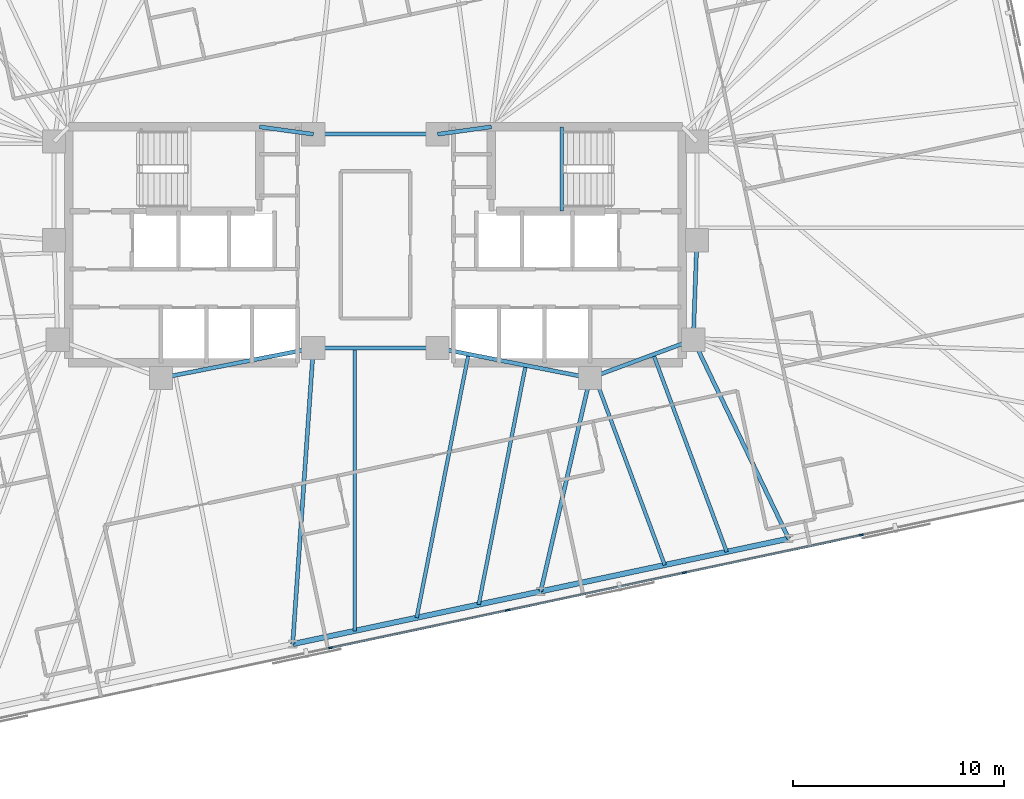
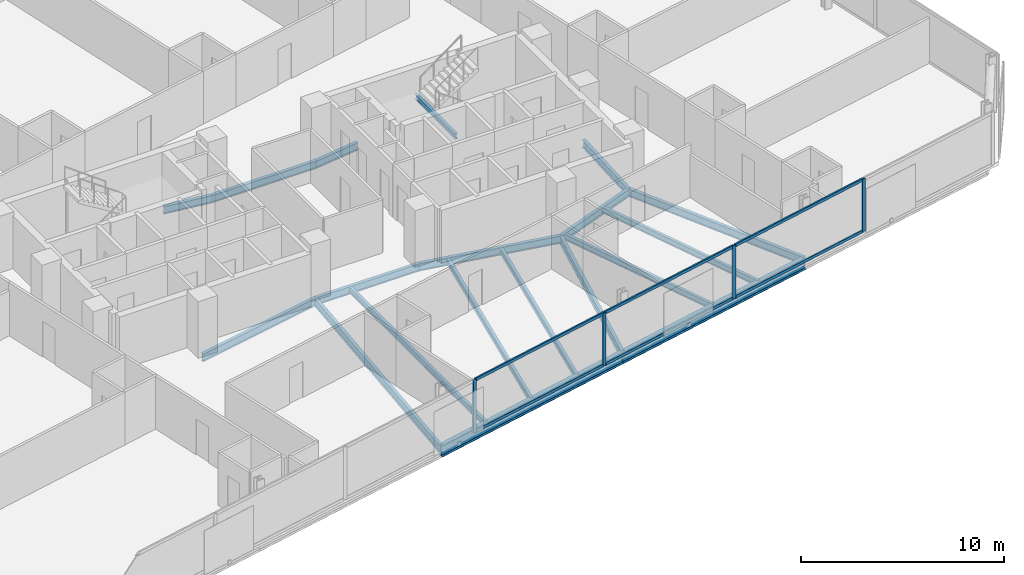
# One storey, part 8 of 20: 19 beams, 10 members, 1 element without a shape of its own.
"""IFC4 building model written with IfcOpenShell, lengths in metres."""

import ifcopenshell
import ifcopenshell.guid

model = None  # the IFC model being written
_history = None  # IfcOwnerHistory: only IFC2X3 demands one
_inside = {}  # id of a spatial element -> (the spatial element, [elements in it])
_under = {}  # id of a project, library or spatial element -> (it, [spatial elements below it])
_declared = {}  # id of a project -> (the project, [libraries it declares])
_typed = {}  # id of a type object -> (the type object, [elements of that type])
_made_of = {}  # id of a material, layer set ... -> (it, [elements and type objects made of it])


def new_model(schema):
    """Start an empty IFC model of exactly this schema.

    Asked for "IFC4X3", IfcOpenShell would pick the latest addendum, in which some entities
    have other attributes; the version numbers below select the first issue.
    IFC2X3 requires an IfcOwnerHistory on every rooted entity: one is made here for all.
    """
    global model, _history
    if schema == "IFC4X3":
        model = ifcopenshell.file(schema_version=(4, 3, 0, 0))
    else:
        model = ifcopenshell.file(schema=schema)
    _inside.clear()
    _under.clear()
    _declared.clear()
    _typed.clear()
    _made_of.clear()
    _history = None
    if model.schema == "IFC2X3":
        org = make("IfcOrganization", Name="unknown")
        user = make(
            "IfcPersonAndOrganization",
            ThePerson=make("IfcPerson", FamilyName="unknown"),
            TheOrganization=org,
        )
        app = make(
            "IfcApplication",
            ApplicationDeveloper=org,
            Version="unknown",
            ApplicationFullName="unknown",
            ApplicationIdentifier="unknown",
        )
        _history = make(
            "IfcOwnerHistory",
            OwningUser=user,
            OwningApplication=app,
            ChangeAction="ADDED",
            CreationDate=0,
        )
    return model


def make(cls, **values):
    """One entity of the class cls with the attributes given. An attribute that is None is left unset."""
    return model.create_entity(
        cls, **{name: value for name, value in values.items() if value is not None}
    )


def rooted(cls, **values):
    """An entity with a GlobalId (a new one), such as an element, a storey or a relation."""
    return make(cls, GlobalId=ifcopenshell.guid.new(), OwnerHistory=_history, **values)


def si_unit(unit_type, name, prefix=None):
    """IfcSIUnit, for example si_unit("LENGTHUNIT", "METRE", prefix="MILLI")."""
    return make("IfcSIUnit", UnitType=unit_type, Prefix=prefix, Name=name)


def assignment(units):
    """IfcUnitAssignment: the units of a project."""
    return None if units is None else make("IfcUnitAssignment", Units=units)


def point(xyz):
    """IfcCartesianPoint."""
    return None if xyz is None else make("IfcCartesianPoint", Coordinates=xyz)


def direction(xyz):
    """IfcDirection."""
    return None if xyz is None else make("IfcDirection", DirectionRatios=xyz)


def frame(location, z_axis=None, x_axis=None):
    """IfcAxis2Placement3D, a coordinate frame: its origin and axes. An axis left out is left unset."""
    return make(
        "IfcAxis2Placement3D",
        Location=point(location),
        Axis=direction(z_axis),
        RefDirection=direction(x_axis),
    )


def frame_2d(location, x_axis=None):
    """IfcAxis2Placement2D, a coordinate frame in the plane: its origin and x axis."""
    return make(
        "IfcAxis2Placement2D", Location=point(location), RefDirection=direction(x_axis)
    )


def origin():
    """The frame at (0, 0, 0) with its axes left unset."""
    return frame((0.0, 0.0, 0.0))


def origin_2d():
    """The frame at (0, 0) in the plane with its x axis left unset."""
    return frame_2d((0.0, 0.0))


def place(relative_to, where):
    """IfcLocalPlacement: puts the frame where relative to a parent placement (None: the world)."""
    return make(
        "IfcLocalPlacement", PlacementRelTo=relative_to, RelativePlacement=where
    )


def context(
    kind, dimensions, precision=None, world=None, true_north=None, identifier=None
):
    """IfcGeometricRepresentationContext, for example the 3D "Model" context."""
    return make(
        "IfcGeometricRepresentationContext",
        ContextIdentifier=identifier,
        ContextType=kind,
        CoordinateSpaceDimension=dimensions,
        Precision=precision,
        WorldCoordinateSystem=world,
        TrueNorth=true_north,
    )


def subcontext(parent, identifier, kind, view, scale=None):
    """IfcGeometricRepresentationSubContext, for example "Body" below "Model"."""
    return make(
        "IfcGeometricRepresentationSubContext",
        ContextIdentifier=identifier,
        ContextType=kind,
        ParentContext=parent,
        TargetScale=scale,
        TargetView=view,
    )


def project(units=None, contexts=None):
    """IfcProject with its units and contexts."""
    return rooted(
        "IfcProject",
        Name="project",
        RepresentationContexts=contexts,
        UnitsInContext=assignment(units),
    )


def spatial(cls, under=None, at=None, **own):
    """A site, building, storey or space (cls), placed at a placement, below another one or the project."""
    s = rooted(cls, ObjectPlacement=at, **own)
    if under is not None:
        _under.setdefault(under.id(), (under, []))[1].append(s)
    return s


def profile(cls, at=None, kind="AREA", **sizes):
    """A parametric profile (cls). Its sizes go by their IFC names, for example OverallWidth=200.0."""
    return make(cls, ProfileType=kind, Position=at, **sizes)


def rectangle(**sizes):
    """IfcRectangleProfileDef."""
    return profile("IfcRectangleProfileDef", **sizes)


def i_section(**sizes):
    """IfcIShapeProfileDef."""
    return profile("IfcIShapeProfileDef", **sizes)


def extrude(swept, where, along, depth):
    """IfcExtrudedAreaSolid: the profile swept, set in the frame where, extruded along a direction by depth."""
    return make(
        "IfcExtrudedAreaSolid",
        SweptArea=swept,
        Position=where,
        ExtrudedDirection=direction(along),
        Depth=depth,
    )


def shape(context_of_items, identifier, shape_type, items):
    """IfcShapeRepresentation: the items that make up one representation, for example the "Body"."""
    return make(
        "IfcShapeRepresentation",
        ContextOfItems=context_of_items,
        RepresentationIdentifier=identifier,
        RepresentationType=shape_type,
        Items=items,
    )


def material(Name=None, Category=None):
    """IfcMaterial."""
    return make("IfcMaterial", Name=Name, Category=Category)


def material_profile(
    of_material, cross_section, Name=None, Category=None, Priority=None
):
    """IfcMaterialProfile: a cross section and its material."""
    return make(
        "IfcMaterialProfile",
        Name=Name,
        Material=of_material,
        Profile=cross_section,
        Priority=Priority,
        Category=Category,
    )


def profile_set(profiles, Name=None, composite=None):
    """IfcMaterialProfileSet."""
    return make(
        "IfcMaterialProfileSet",
        Name=Name,
        MaterialProfiles=profiles,
        CompositeProfile=composite,
    )


def made_of(thing, what):
    """Note that an element or type object is made of a material, layer set ...; save() writes the relation."""
    if what is not None:
        _made_of.setdefault(what.id(), (what, []))[1].append(thing)
    return thing


def type_object(cls, material=None, **own):
    """A type object (cls), such as IfcWallType, which elements share."""
    return made_of(rooted(cls, **own), material)


def element(
    cls,
    number,
    at=None,
    inside=None,
    cuts=None,
    type_object=None,
    material=None,
    context=None,
    identifier="Body",
    shape_type=None,
    held_by="IfcProductDefinitionShape",
    body=None,
    shapes=None,
    **own,
):
    """One element of the class cls, such as IfcWall. Its Tag is "e" and its number.

    at: its placement. inside: the storey or other place that contains it. cuts: it is an
    opening in that element (IfcRelVoidsElement). A single representation is given by context,
    identifier, shape_type and body (its items); several are given by shapes. held_by: the class
    of the entity that holds the representations. save() writes the other relations.
    """
    e = rooted(cls, Tag="e%d" % number, ObjectPlacement=at, **own)
    if body is not None:
        shapes = [shape(context, identifier, shape_type, body)]
    if shapes is not None:
        e.Representation = make(held_by, Representations=shapes)
    if inside is not None:
        _inside.setdefault(inside.id(), (inside, []))[1].append(e)
    if cuts is not None:
        rooted(
            "IfcRelVoidsElement", RelatingBuildingElement=cuts, RelatedOpeningElement=e
        )
    if type_object is not None:
        _typed.setdefault(type_object.id(), (type_object, []))[1].append(e)
    return made_of(e, material)


def aggregate(whole, parts):
    """IfcRelAggregates: a whole, such as a stair, and the parts it consists of."""
    return rooted("IfcRelAggregates", RelatingObject=whole, RelatedObjects=parts)


def save(model, path):
    """Write the relations noted so far, then the file.

    IfcRelAggregates (storeys below a building ...), IfcRelContainedInSpatialStructure (elements
    in a storey), IfcRelDefinesByType, IfcRelAssociatesMaterial and IfcRelDeclares: one each for
    every whole, place, type object, material and project.
    """
    for whole, parts in _under.values():
        aggregate(whole, parts)
    for where, things in _inside.values():
        rooted(
            "IfcRelContainedInSpatialStructure",
            RelatedElements=things,
            RelatingStructure=where,
        )
    for kind, things in _typed.values():
        rooted("IfcRelDefinesByType", RelatedObjects=things, RelatingType=kind)
    for what, things in _made_of.values():
        rooted("IfcRelAssociatesMaterial", RelatedObjects=things, RelatingMaterial=what)
    for by, libraries in _declared.values():
        rooted("IfcRelDeclares", RelatingContext=by, RelatedDefinitions=libraries)
    model.write(path)


model = new_model("IFC4")

# Units and contexts
model_context = context("Model", 3, precision=1e-05, world=origin(), true_north=direction((0.0, 1.0)))
body_context = subcontext(model_context, "Body", "Model", "MODEL_VIEW")
ifc_project = project(units=[si_unit("LENGTHUNIT", "METRE"), si_unit("AREAUNIT", "SQUARE_METRE"), si_unit("VOLUMEUNIT", "CUBIC_METRE"), si_unit("PLANEANGLEUNIT", "RADIAN"), si_unit("MASSUNIT", "GRAM", prefix="KILO")], contexts=[model_context])

# Site, building, storey
site_placement = place(None, origin())
site = spatial("IfcSite", under=ifc_project, at=site_placement, CompositionType="ELEMENT")
building_placement = place(site_placement, origin())
building = spatial("IfcBuilding", under=site, at=building_placement, Name="Menara Jurai Vektor", CompositionType="ELEMENT")
storey_placement = place(building_placement, frame((0.0, 0.0, 175.199951171875)))
storey = spatial("IfcBuildingStorey", under=building, at=storey_placement, Name="L45", CompositionType="ELEMENT", Elevation=175.199951171875)

# Curtain wall, members
ifc_material_1 = material(Name="Anodised Pale Aluminium & Low-E Double Glazing", Category="aluminium")
curtain_wall_type = type_object("IfcCurtainWallType", Name="CW-BLK3", PredefinedType="NOTDEFINED", material=ifc_material_1)
curtain_wall_placement = place(storey_placement, origin())
curtain_wall = element("IfcCurtainWall", 1, at=curtain_wall_placement, inside=storey, type_object=curtain_wall_type, Name="Unitised Curtain Wall L45 F05", PredefinedType="NOTDEFINED")
ifc_material_2 = material(Name="Anodised Pale Aluminium Mullion", Category="aluminium")
ifc_material_profile_1 = material_profile(ifc_material_2, rectangle(XDim=0.0849609375, YDim=0.205078125, at=origin_2d()), Name="ALU MUL 85x205")
ifc_profile_set_1 = profile_set([ifc_material_profile_1], Name="Anodised Pale Aluminium Mullion")
member_type_1 = type_object("IfcMemberType", Name="CW-BLK3-MUL", PredefinedType="MULLION", material=ifc_profile_set_1)
member_1_placement = place(storey_placement, frame((-2.124755859375, -19.121826171875, 0.0), z_axis=(0.0, 0.0, 1.0), x_axis=(-0.207911344156, 0.978147674419, 0.0)))
member_1 = element("IfcMember", 2, at=member_1_placement, type_object=member_type_1, Name="CW-03 mullion 4", PredefinedType="MULLION", context=body_context, shape_type="SweptSolid", body=[
    extrude(rectangle(XDim=0.0849609375, YDim=0.205078125, at=origin_2d()), origin(), (0.0, 0.0, 1.0), 3.175048828125),
])
member_2_placement = place(storey_placement, frame((6.264892578125, -17.338623046875, 0.0), z_axis=(0.0, 0.0, 1.0), x_axis=(-0.207911344156, 0.978147674419, 0.0)))
member_2 = element("IfcMember", 3, at=member_2_placement, type_object=member_type_1, Name="CW-03 mullion 5", PredefinedType="MULLION", context=body_context, shape_type="SweptSolid", body=[
    extrude(rectangle(XDim=0.0849609375, YDim=0.205078125, at=origin_2d()), origin(), (0.0, 0.0, 1.0), 3.175048828125),
])
member_3_placement = place(storey_placement, frame((14.65478515625, -15.55517578125, 0.0), z_axis=(0.0, 0.0, 1.0), x_axis=(-0.207911344156, 0.978147674419, 0.0)))
member_3 = element("IfcMember", 4, at=member_3_placement, type_object=member_type_1, Name="CW-03 mullion 6", PredefinedType="MULLION", context=body_context, shape_type="SweptSolid", body=[
    extrude(rectangle(XDim=0.0849609375, YDim=0.205078125, at=origin_2d()), origin(), (0.0, 0.0, 1.0), 3.175048828125),
])
member_4_placement = place(storey_placement, frame((23.04443359375, -13.77197265625, 0.0), z_axis=(0.0, 0.0, 1.0), x_axis=(-0.207911344156, 0.978147674419, 0.0)))
member_4 = element("IfcMember", 5, at=member_4_placement, type_object=member_type_1, Name="CW-03 mullion 7", PredefinedType="MULLION", context=body_context, shape_type="SweptSolid", body=[
    extrude(rectangle(XDim=0.0849609375, YDim=0.205078125, at=origin_2d()), origin(), (0.0, 0.0, 1.0), 3.175048828125),
])
ifc_material_3 = material(Name="Anodised Pale Aluminium Transom", Category="aluminium")
ifc_material_profile_2 = material_profile(ifc_material_3, rectangle(XDim=0.0849609375, YDim=0.175048828125, at=origin_2d()), Name="ALU TRN 85x175")
ifc_profile_set_2 = profile_set([ifc_material_profile_2], Name="Anodised Pale Aluminium Transom")
member_type_2 = type_object("IfcMemberType", Name="CW-BLK3-TRN", PredefinedType="USERDEFINED", material=ifc_profile_set_2)
member_5_placement = place(storey_placement, frame((-2.083251953125, -19.113037109375, 0.04248046875), z_axis=(0.978147743708, 0.207911018178, 0.0), x_axis=(-0.207911018178, 0.978147743708, 0.0)))
member_5 = element("IfcMember", 6, at=member_5_placement, type_object=member_type_2, Name="CW-03 transom 4.1", ObjectType="TRANSOM", PredefinedType="USERDEFINED", context=body_context, shape_type="SweptSolid", body=[
    extrude(rectangle(XDim=0.0849609375, YDim=0.175048828125, at=origin_2d()), origin(), (0.0, 0.0, 1.0), 8.4921875),
])
member_6_placement = place(storey_placement, frame((-2.083251953125, -19.113037109375, 3.132568359375), z_axis=(0.978147743708, 0.207911018178, 0.0), x_axis=(-0.207911018178, 0.978147743708, 0.0)))
member_6 = element("IfcMember", 7, at=member_6_placement, type_object=member_type_2, Name="CW-03 transom 4.2", ObjectType="TRANSOM", PredefinedType="USERDEFINED", context=body_context, shape_type="SweptSolid", body=[
    extrude(rectangle(XDim=0.0849609375, YDim=0.175048828125, at=origin_2d()), origin(), (0.0, 0.0, 1.0), 8.4921875),
])
member_7_placement = place(storey_placement, frame((6.306640625, -17.329833984375, 0.04248046875), z_axis=(0.978146500933, 0.207916864907, 0.0), x_axis=(-0.207916864907, 0.978146500933, 0.0)))
member_7 = element("IfcMember", 8, at=member_7_placement, type_object=member_type_2, Name="CW-03 transom 5.1", ObjectType="TRANSOM", PredefinedType="USERDEFINED", context=body_context, shape_type="SweptSolid", body=[
    extrude(rectangle(XDim=0.0849609375, YDim=0.175048828125, at=origin_2d()), origin(), (0.0, 0.0, 1.0), 8.491943359375),
])
member_8_placement = place(storey_placement, frame((6.306640625, -17.329833984375, 3.132568359375), z_axis=(0.978146500933, 0.207916864907, 0.0), x_axis=(-0.207916864907, 0.978146500933, 0.0)))
member_8 = element("IfcMember", 9, at=member_8_placement, type_object=member_type_2, Name="CW-03 transom 5.2", ObjectType="TRANSOM", PredefinedType="USERDEFINED", context=body_context, shape_type="SweptSolid", body=[
    extrude(rectangle(XDim=0.0849609375, YDim=0.175048828125, at=origin_2d()), origin(), (0.0, 0.0, 1.0), 8.491943359375),
])
member_9_placement = place(storey_placement, frame((14.6962890625, -15.54638671875, 0.04248046875), z_axis=(0.978147743708, 0.207911018178, 0.0), x_axis=(-0.207911018178, 0.978147743708, 0.0)))
member_9 = element("IfcMember", 10, at=member_9_placement, type_object=member_type_2, Name="CW-03 transom 6.1", ObjectType="TRANSOM", PredefinedType="USERDEFINED", context=body_context, shape_type="SweptSolid", body=[
    extrude(rectangle(XDim=0.0849609375, YDim=0.175048828125, at=origin_2d()), origin(), (0.0, 0.0, 1.0), 8.4921875),
])
member_10_placement = place(storey_placement, frame((14.6962890625, -15.54638671875, 3.132568359375), z_axis=(0.978147743708, 0.207911018178, 0.0), x_axis=(-0.207911018178, 0.978147743708, 0.0)))
member_10 = element("IfcMember", 11, at=member_10_placement, type_object=member_type_2, Name="CW-03 transom 6.2", ObjectType="TRANSOM", PredefinedType="USERDEFINED", context=body_context, shape_type="SweptSolid", body=[
    extrude(rectangle(XDim=0.0849609375, YDim=0.175048828125, at=origin_2d()), origin(), (0.0, 0.0, 1.0), 8.4921875),
])
aggregate(curtain_wall, [member_1, member_2, member_3, member_4, member_5, member_6, member_7, member_8, member_9, member_10])

# Beams
ifc_material_4 = material(Name="Steel S355", Category="steel")
ifc_material_profile_3 = material_profile(ifc_material_4, i_section(OverallWidth=0.19091796875, OverallDepth=0.4599609375, WebThickness=0.010009765625, FlangeThickness=0.01611328125, FilletRadius=0.010009765625, at=origin_2d()), Name="UKB 457x191x82")
ifc_profile_set_3 = profile_set([ifc_material_profile_3], Name="Steel S355")
beam_type_1 = type_object("IfcBeamType", Name="STR-BM-457", PredefinedType="BEAM", material=ifc_profile_set_3)
beam_1_placement = place(storey_placement, frame((-5.5, 5.60009765625, -0.454833984375), z_axis=(0.990706818608, -0.136014703483, 0.0), x_axis=(0.136014703483, 0.990706818608, 0.0)))
element("IfcBeam", 12, at=beam_1_placement, inside=storey, type_object=beam_type_1, Name="Core Ring Header Girder L45-CHW-N2", PredefinedType="BEAM", context=body_context, shape_type="SweptSolid", body=[
    extrude(i_section(OverallWidth=0.19091796875, OverallDepth=0.4599609375, WebThickness=0.010009765625, FlangeThickness=0.01611328125, FilletRadius=0.010009765625, at=origin_2d()), origin(), (0.0, 0.0, 1.0), 2.573974609375),
])
beam_2_placement = place(storey_placement, frame((-10.179931640625, -6.320068359375, -0.454833984375), z_axis=(0.981249044334, 0.192744164614, 0.0), x_axis=(-0.192744164614, 0.981249044334, 0.0)))
element("IfcBeam", 13, at=beam_2_placement, inside=storey, type_object=beam_type_1, Name="Core Ring Header Girder L45-CHW-S2", PredefinedType="BEAM", context=body_context, shape_type="SweptSolid", body=[
    extrude(i_section(OverallWidth=0.19091796875, OverallDepth=0.4599609375, WebThickness=0.010009765625, FlangeThickness=0.01611328125, FilletRadius=0.010009765625, at=origin_2d()), origin(), (0.0, 0.0, 1.0), 7.3681640625),
])
beam_3_placement = place(storey_placement, frame((2.949951171875, 5.25, -0.454833984375), z_axis=(0.990706818608, 0.136014703483, 0.0), x_axis=(-0.136014703483, 0.990706818608, 0.0)))
element("IfcBeam", 14, at=beam_3_placement, inside=storey, type_object=beam_type_1, Name="Core Ring Header Girder L45-CHE-N1", PredefinedType="BEAM", context=body_context, shape_type="SweptSolid", body=[
    extrude(i_section(OverallWidth=0.19091796875, OverallDepth=0.4599609375, WebThickness=0.010009765625, FlangeThickness=0.01611328125, FilletRadius=0.010009765625, at=origin_2d()), origin(), (0.0, 0.0, 1.0), 2.573974609375),
])
beam_4_placement = place(storey_placement, frame((15.080078125, -4.5, -0.454833984375), z_axis=(0.035977314146, 0.999352606874, 0.0), x_axis=(-0.999352606874, 0.035977314146, 0.0)))
element("IfcBeam", 15, at=beam_4_placement, inside=storey, type_object=beam_type_1, Name="Core Ring Header Girder L45-CHE-E2", PredefinedType="BEAM", context=body_context, shape_type="SweptSolid", body=[
    extrude(i_section(OverallWidth=0.19091796875, OverallDepth=0.4599609375, WebThickness=0.010009765625, FlangeThickness=0.01611328125, FilletRadius=0.010009765625, at=origin_2d()), origin(), (0.0, 0.0, 1.0), 4.72314453125),
])
beam_5_placement = place(storey_placement, frame((10.179931640625, -6.320068359375, -0.454833984375), z_axis=(0.937424400887, 0.348188874925, 0.0), x_axis=(-0.348188874925, 0.937424400887, 0.0)))
element("IfcBeam", 16, at=beam_5_placement, inside=storey, type_object=beam_type_1, Name="Core Ring Header Girder L45-CHE-S1", PredefinedType="BEAM", context=body_context, shape_type="SweptSolid", body=[
    extrude(i_section(OverallWidth=0.19091796875, OverallDepth=0.4599609375, WebThickness=0.010009765625, FlangeThickness=0.01611328125, FilletRadius=0.010009765625, at=origin_2d()), origin(), (0.0, 0.0, 1.0), 5.227294921875),
])
beam_6_placement = place(storey_placement, frame((2.949951171875, -4.89990234375, -0.454833984375), z_axis=(0.981249044334, -0.192744164614, 0.0), x_axis=(0.192744164614, 0.981249044334, 0.0)))
element("IfcBeam", 17, at=beam_6_placement, inside=storey, type_object=beam_type_1, Name="Core Ring Header Girder L45-CHE-S2", PredefinedType="BEAM", context=body_context, shape_type="SweptSolid", body=[
    extrude(i_section(OverallWidth=0.19091796875, OverallDepth=0.4599609375, WebThickness=0.010009765625, FlangeThickness=0.01611328125, FilletRadius=0.010009765625, at=origin_2d()), origin(), (0.0, 0.0, 1.0), 7.3681640625),
])
for number, where, z_axis, x_axis, name in (
    (18, (-2.949951171875, -4.89990234375, -0.454833984375), (1.0, 0.0, 0.0), (0.0, 1.0, 0.0), "Core Ring Header Girder L45-CC-1"),
    (19, (-2.949951171875, 5.25, -0.454833984375), (1.0, 0.0, 0.0), (0.0, 1.0, 0.0), "Core Ring Header Girder L45-CC-2"),
):
    element("IfcBeam", number, at=place(storey_placement, frame(where, z_axis=z_axis, x_axis=x_axis)), inside=storey, type_object=beam_type_1, Name=name, PredefinedType="BEAM", context=body_context, shape_type="SweptSolid", body=[
        extrude(i_section(OverallWidth=0.19091796875, OverallDepth=0.4599609375, WebThickness=0.010009765625, FlangeThickness=0.01611328125, FilletRadius=0.010009765625, at=origin_2d()), origin(), (0.0, 0.0, 1.0), 5.89990234375),
    ])
beam_7_placement = place(storey_placement, frame((-3.928466796875, -18.94287109375, -0.454833984375), z_axis=(0.06951156523, 0.997581145722, 0.0), x_axis=(-0.997581145722, 0.06951156523, 0.0)))
element("IfcBeam", 20, at=beam_7_placement, inside=storey, type_object=beam_type_1, Name="Radial Floor Girder L45-S3", PredefinedType="BEAM", context=body_context, shape_type="SweptSolid", body=[
    extrude(i_section(OverallWidth=0.19091796875, OverallDepth=0.4599609375, WebThickness=0.010009765625, FlangeThickness=0.01611328125, FilletRadius=0.010009765625, at=origin_2d()), origin(), (0.0, 0.0, 1.0), 14.076904296875),
])
beam_8_placement = place(storey_placement, frame((7.83984375, -16.44140625, -0.454833984375), z_axis=(0.225261124248, 0.974298427538, 0.0), x_axis=(-0.974298427538, 0.225261124248, 0.0)))
element("IfcBeam", 21, at=beam_8_placement, inside=storey, type_object=beam_type_1, Name="Radial Floor Girder L45-S4", PredefinedType="BEAM", context=body_context, shape_type="SweptSolid", body=[
    extrude(i_section(OverallWidth=0.19091796875, OverallDepth=0.4599609375, WebThickness=0.010009765625, FlangeThickness=0.01611328125, FilletRadius=0.010009765625, at=origin_2d()), origin(), (0.0, 0.0, 1.0), 10.388427734375),
])
beam_9_placement = place(storey_placement, frame((19.608154296875, -13.940185546875, -0.454833984375), z_axis=(-0.432481646932, 0.901642736935, 0.0), x_axis=(-0.901642736935, -0.432481646932, 0.0)))
element("IfcBeam", 22, at=beam_9_placement, inside=storey, type_object=beam_type_1, Name="Radial Floor Girder L45-S5", PredefinedType="BEAM", context=body_context, shape_type="SweptSolid", body=[
    extrude(i_section(OverallWidth=0.19091796875, OverallDepth=0.4599609375, WebThickness=0.010009765625, FlangeThickness=0.01611328125, FilletRadius=0.010009765625, at=origin_2d()), origin(), (0.0, 0.0, 1.0), 10.469970703125),
])
ifc_material_profile_4 = material_profile(ifc_material_4, i_section(OverallWidth=0.172119140625, OverallDepth=0.35498046875, WebThickness=0.007080078125, FlangeThickness=0.011962890625, FilletRadius=0.010009765625, at=origin_2d()), Name="UKB 356x171x51")
ifc_profile_set_4 = profile_set([ifc_material_profile_4], Name="Steel S355")
beam_type_2 = type_object("IfcBeamType", Name="STR-JS-356", PredefinedType="JOIST", material=ifc_profile_set_4)
beam_10_placement = place(storey_placement, frame((-0.986328125, -18.3173828125, -0.40234375), z_axis=(0.0, 1.0, 0.0), x_axis=(-1.0, 0.0, 0.0)))
element("IfcBeam", 23, at=beam_10_placement, inside=storey, type_object=beam_type_2, Name="Radial Secondary Floor Joist L45-JS05", PredefinedType="JOIST", context=body_context, shape_type="SweptSolid", body=[
    extrude(i_section(OverallWidth=0.172119140625, OverallDepth=0.35498046875, WebThickness=0.007080078125, FlangeThickness=0.011962890625, FilletRadius=0.010009765625, at=origin_2d()), origin(), (0.0, 0.0, 1.0), 13.41748046875),
])
beam_11_placement = place(storey_placement, frame((1.955810546875, -17.692138671875, -0.40234375), z_axis=(0.192721917664, 0.981253413982, 0.0), x_axis=(-0.981253413982, 0.192721917664, 0.0)))
element("IfcBeam", 24, at=beam_11_placement, inside=storey, type_object=beam_type_2, Name="Radial Secondary Floor Joist L45-JS06", PredefinedType="JOIST", context=body_context, shape_type="SweptSolid", body=[
    extrude(i_section(OverallWidth=0.172119140625, OverallDepth=0.35498046875, WebThickness=0.007080078125, FlangeThickness=0.011962890625, FilletRadius=0.010009765625, at=origin_2d()), origin(), (0.0, 0.0, 1.0), 12.744140625),
])
beam_12_placement = place(storey_placement, frame((4.897705078125, -17.06689453125, -0.40234375), z_axis=(0.19272061905, 0.981253669034, 0.0), x_axis=(-0.981253669034, 0.19272061905, 0.0)))
element("IfcBeam", 25, at=beam_12_placement, inside=storey, type_object=beam_type_2, Name="Radial Secondary Floor Joist L45-JS07", PredefinedType="JOIST", context=body_context, shape_type="SweptSolid", body=[
    extrude(i_section(OverallWidth=0.172119140625, OverallDepth=0.35498046875, WebThickness=0.007080078125, FlangeThickness=0.011962890625, FilletRadius=0.010009765625, at=origin_2d()), origin(), (0.0, 0.0, 1.0), 11.5634765625),
])
beam_13_placement = place(storey_placement, frame((13.72412109375, -15.19091796875, -0.40234375), z_axis=(-0.348196799641, 0.93742145736, 0.0), x_axis=(-0.93742145736, -0.348196799641, 0.0)))
element("IfcBeam", 26, at=beam_13_placement, inside=storey, type_object=beam_type_2, Name="Radial Secondary Floor Joist L45-JS08", PredefinedType="JOIST", context=body_context, shape_type="SweptSolid", body=[
    extrude(i_section(OverallWidth=0.172119140625, OverallDepth=0.35498046875, WebThickness=0.007080078125, FlangeThickness=0.011962890625, FilletRadius=0.010009765625, at=origin_2d()), origin(), (0.0, 0.0, 1.0), 9.5498046875),
])
beam_14_placement = place(storey_placement, frame((16.666015625, -14.5654296875, -0.40234375), z_axis=(-0.348180392292, 0.93742755156, 0.0), x_axis=(-0.93742755156, -0.348180392292, 0.0)))
element("IfcBeam", 27, at=beam_14_placement, inside=storey, type_object=beam_type_2, Name="Radial Secondary Floor Joist L45-JS09", PredefinedType="JOIST", context=body_context, shape_type="SweptSolid", body=[
    extrude(i_section(OverallWidth=0.172119140625, OverallDepth=0.35498046875, WebThickness=0.007080078125, FlangeThickness=0.011962890625, FilletRadius=0.010009765625, at=origin_2d()), origin(), (0.0, 0.0, 1.0), 9.98779296875),
])
ifc_material_profile_5 = material_profile(ifc_material_4, i_section(OverallWidth=0.1650390625, OverallDepth=0.302978515625, WebThickness=0.006103515625, FlangeThickness=0.010009765625, FilletRadius=0.009033203125, at=origin_2d()), Name="UKB 305x165x40")
ifc_profile_set_5 = profile_set([ifc_material_profile_5], Name="Steel S355")
beam_type_3 = type_object("IfcBeamType", Name="STR-LN-305", PredefinedType="LINTEL", material=ifc_profile_set_5)
beam_15_placement = place(storey_placement, frame((8.830078125, 1.60009765625, 1.3486328125), z_axis=(0.0, 1.0, 0.0), x_axis=(-1.0, 0.0, 0.0)))
element("IfcBeam", 28, at=beam_15_placement, inside=storey, type_object=beam_type_3, Name="Stair Half-Landing Nosing Trimmer ST2-1 L45", PredefinedType="LINTEL", context=body_context, shape_type="SweptSolid", body=[
    extrude(i_section(OverallWidth=0.1650390625, OverallDepth=0.302978515625, WebThickness=0.006103515625, FlangeThickness=0.010009765625, FilletRadius=0.009033203125, at=origin_2d()), origin(), (0.0, 0.0, 1.0), 4.0),
])
ifc_material_5 = material(Name="Steel S460", Category="steel")
ifc_material_profile_6 = material_profile(ifc_material_5, i_section(OverallWidth=0.256103515625, OverallDepth=0.693115234375, WebThickness=0.013916015625, FlangeThickness=0.02392578125, FilletRadius=0.014892578125, at=origin_2d()), Name="UKB 686x254x170")
ifc_profile_set_6 = profile_set([ifc_material_profile_6], Name="Steel S460")
beam_type_4 = type_object("IfcBeamType", Name="STR-SP-686", PredefinedType="SPANDREL", material=ifc_profile_set_6)
for number, where, z_axis, x_axis, name in (
    (29, (-3.928466796875, -18.94287109375, -0.571533203125), (0.978147039247, 0.207914332389, 0.0), (-0.207914332389, 0.978147039247, 0.0), "Exoskeleton Spandrel Beam L45-03"),
    (30, (7.83984375, -16.44140625, -0.571533203125), (0.978151165921, 0.207894917222, 0.0), (-0.207894917222, 0.978151165921, 0.0), "Exoskeleton Spandrel Beam L45-04"),
):
    element("IfcBeam", number, at=place(storey_placement, frame(where, z_axis=z_axis, x_axis=x_axis)), inside=storey, type_object=beam_type_4, Name=name, PredefinedType="SPANDREL", context=body_context, shape_type="SweptSolid", body=[
        extrude(i_section(OverallWidth=0.256103515625, OverallDepth=0.693115234375, WebThickness=0.013916015625, FlangeThickness=0.02392578125, FilletRadius=0.014892578125, at=origin_2d()), origin(), (0.0, 0.0, 1.0), 12.03125),
    ])

save(model, "model.ifc")
